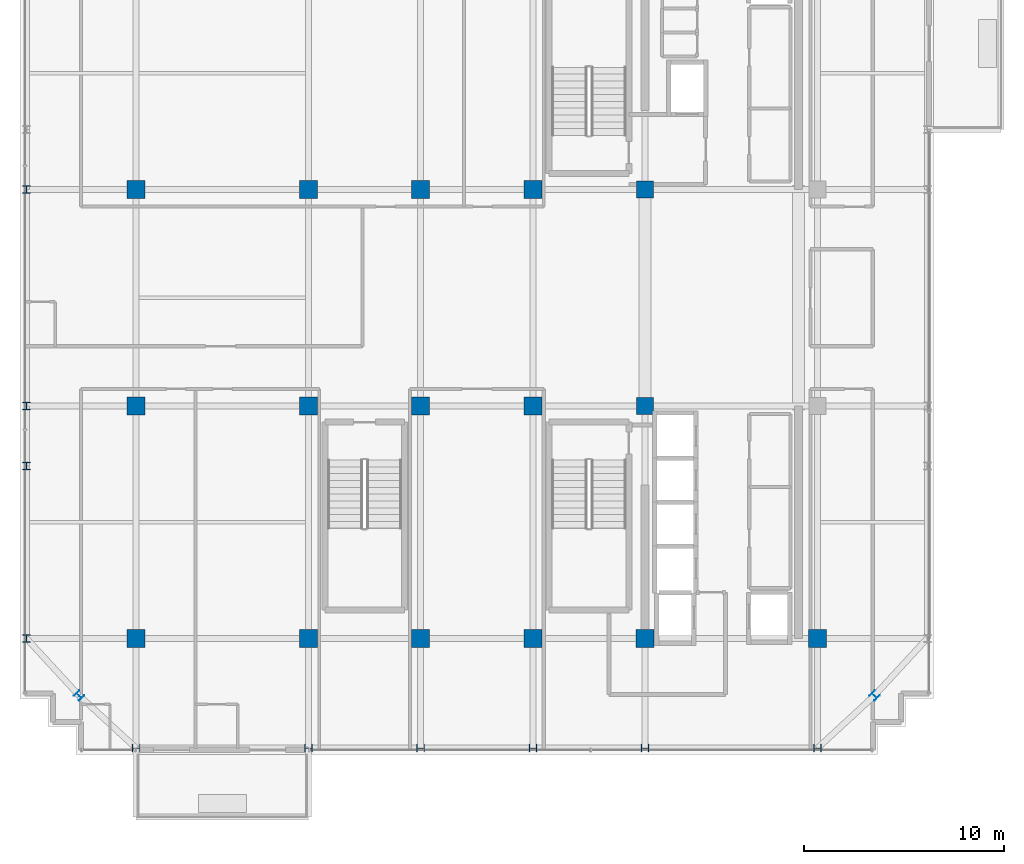
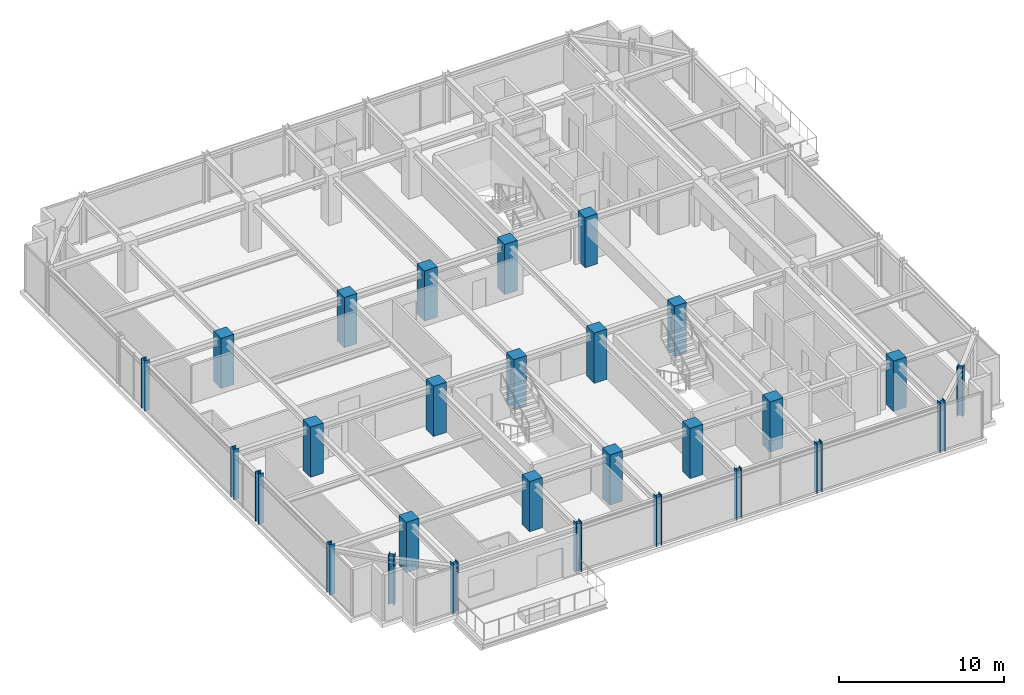
# One storey, part 1 of 33: 28 columns.
"""IFC4 building model written with IfcOpenShell, lengths in metres."""

from ifc_helpers import new_model, si_unit, direction, frame, origin, origin_2d, place, context, subcontext, project, spatial, rectangle, i_section, extrude, source, transform, mapped, material, material_profile, profile_set, type_object, element, save


model = new_model("IFC4")

# Units and contexts
model_context = context("Model", 3, precision=1e-05, world=origin(), true_north=direction((0.0, 1.0)))
body_context = subcontext(model_context, "Body", "Model", "MODEL_VIEW")
ifc_project = project(units=[si_unit("LENGTHUNIT", "METRE"), si_unit("AREAUNIT", "SQUARE_METRE"), si_unit("VOLUMEUNIT", "CUBIC_METRE"), si_unit("PLANEANGLEUNIT", "RADIAN"), si_unit("MASSUNIT", "GRAM", prefix="KILO")], contexts=[model_context])

# Site, building, storey
site_placement = place(None, origin())
site = spatial("IfcSite", under=ifc_project, at=site_placement, CompositionType="ELEMENT")
building_placement = place(site_placement, origin())
building = spatial("IfcBuilding", under=site, at=building_placement, Name="Nahalor Promenade Grand Hotel", CompositionType="ELEMENT")
storey_placement = place(building_placement, frame((0.0, 0.0, 270.050048828125)))
storey = spatial("IfcBuildingStorey", under=building, at=storey_placement, Name="L69", CompositionType="ELEMENT", Elevation=270.050048828125)

# Columns
ifc_material_1 = material(Name="Concrete B-50 (C40/50)", Category="concrete")
ifc_material_profile_1 = material_profile(ifc_material_1, rectangle(XDim=0.9, YDim=0.9, at=origin_2d()), Name="RC 900x900")
ifc_profile_set_1 = profile_set([ifc_material_profile_1], Name="Concrete B-50 (C40/50)")
column_type_1 = type_object("IfcColumnType", Name="Col-RC-900", PredefinedType="COLUMN", material=ifc_profile_set_1)
shared_shape_1 = source(origin(), body_context, "Body", "SweptSolid", [
    extrude(rectangle(XDim=0.9, YDim=0.9, at=origin_2d()), origin(), (0.0, 0.0, 1.0), 3.704833984375),
])
for number, where, z_axis, x_axis, name in (
    (1, (-17.0, -17.0, 0.0), (0.0, 0.0, 1.0), (1.0, 0.0, 0.0), "COL-L69-I00"),
    (2, (-17.0, -5.39990234375, 0.0), (0.0, 0.0, 1.0), (1.0, 0.0, 0.0), "COL-L69-I01"),
    (3, (-17.0, 5.39990234375, 0.0), (0.0, 0.0, 1.0), (1.0, 0.0, 0.0), "COL-L69-I02"),
    (4, (-8.39990234375, -17.0, 0.0), (0.0, 0.0, 1.0), (1.0, 0.0, 0.0), "COL-L69-I10"),
    (5, (-8.39990234375, -5.39990234375, 0.0), (0.0, 0.0, 1.0), (1.0, 0.0, 0.0), "COL-L69-I11"),
    (6, (-8.39990234375, 5.39990234375, 0.0), (0.0, 0.0, 1.0), (1.0, 0.0, 0.0), "COL-L69-I12"),
    (7, (-2.800048828125, -17.0, 0.0), (0.0, 0.0, 1.0), (1.0, 0.0, 0.0), "COL-L69-I20"),
    (8, (-2.800048828125, -5.39990234375, 0.0), (0.0, 0.0, 1.0), (1.0, 0.0, 0.0), "COL-L69-I21"),
    (9, (-2.800048828125, 5.39990234375, 0.0), (0.0, 0.0, 1.0), (1.0, 0.0, 0.0), "COL-L69-I22"),
    (10, (2.800048828125, -17.0, 0.0), (0.0, 0.0, 1.0), (1.0, 0.0, 0.0), "COL-L69-I30"),
    (11, (2.800048828125, -5.39990234375, 0.0), (0.0, 0.0, 1.0), (1.0, 0.0, 0.0), "COL-L69-I31"),
    (12, (2.800048828125, 5.39990234375, 0.0), (0.0, 0.0, 1.0), (1.0, 0.0, 0.0), "COL-L69-I32"),
    (13, (8.39990234375, -17.0, 0.0), (0.0, 0.0, 1.0), (1.0, 0.0, 0.0), "COL-L69-I40"),
    (14, (17.0, -17.0, 0.0), (0.0, 0.0, 1.0), (1.0, 0.0, 0.0), "COL-L69-I50"),
):
    element("IfcColumn", number, at=place(storey_placement, frame(where, z_axis=z_axis, x_axis=x_axis)), inside=storey, type_object=column_type_1, Name=name, PredefinedType="COLUMN", context=body_context, shape_type="MappedRepresentation", body=[
        mapped(shared_shape_1, transform((0.0, 0.0, 0.0), scale=1.0)),
    ])
ifc_material_2 = material(Name="Concrete B-70 (C60/75)", Category="concrete")
ifc_material_profile_2 = material_profile(ifc_material_2, rectangle(XDim=0.85, YDim=0.85, at=origin_2d()), Name="RC 850x850")
ifc_profile_set_2 = profile_set([ifc_material_profile_2], Name="Concrete B-70 (C60/75)")
column_type_2 = type_object("IfcColumnType", Name="Col-Pilaster-850", PredefinedType="PILASTER", material=ifc_profile_set_2)
shared_shape_2 = source(origin(), body_context, "Body", "SweptSolid", [
    extrude(rectangle(XDim=0.85, YDim=0.85, at=origin_2d()), origin(), (0.0, 0.0, 1.0), 3.704833984375),
])
for number, where, z_axis, x_axis, name in (
    (15, (8.39990234375, -5.39990234375, 0.0), (0.0, 0.0, 1.0), (1.0, 0.0, 0.0), "COL-L69-I41"),
    (16, (8.39990234375, 5.39990234375, 0.0), (0.0, 0.0, 1.0), (1.0, 0.0, 0.0), "COL-L69-I42"),
):
    element("IfcColumn", number, at=place(storey_placement, frame(where, z_axis=z_axis, x_axis=x_axis)), inside=storey, type_object=column_type_2, Name=name, PredefinedType="PILASTER", context=body_context, shape_type="MappedRepresentation", body=[
        mapped(shared_shape_2, transform((0.0, 0.0, 0.0), scale=1.0)),
    ])
ifc_material_3 = material(Name="Steel S355JR", Category="steel")
ifc_material_profile_3 = material_profile(ifc_material_3, i_section(OverallWidth=0.374, OverallDepth=0.374, WebThickness=0.0144, FlangeThickness=0.0229, at=origin_2d()), Name="HD 360x262")
ifc_profile_set_3 = profile_set([ifc_material_profile_3], Name="Steel S355JR")
column_type_3 = type_object("IfcColumnType", Name="Col-Steel-HD262", PredefinedType="COLUMN", material=ifc_profile_set_3)
shared_shape_3 = source(origin(), body_context, "Body", "SweptSolid", [
    extrude(i_section(OverallWidth=0.374, OverallDepth=0.374, WebThickness=0.0144, FlangeThickness=0.0229, at=origin_2d()), origin(), (0.0, 0.0, 1.0), 3.704833984375),
])
for number, where, z_axis, x_axis, name in (
    (17, (-22.47998046875, -17.0, 0.0), (0.0, 0.0, 1.0), (1.0, 0.0, 0.0), "COL-L69-PW-W0"),
    (18, (-22.47998046875, -8.39990234375, 0.0), (0.0, 0.0, 1.0), (1.0, 0.0, 0.0), "COL-L69-PW-W1"),
    (19, (-22.47998046875, -5.39990234375, 0.0), (0.0, 0.0, 1.0), (1.0, 0.0, 0.0), "COL-L69-PW-W2"),
    (20, (-22.47998046875, 5.39990234375, 0.0), (0.0, 0.0, 1.0), (1.0, 0.0, 0.0), "COL-L69-PW-W3"),
    (21, (-17.0, -22.47998046875, 0.0), (0.0, 0.0, 1.0), (0.0, 1.0, 0.0), "COL-L69-PN-S0"),
    (22, (-8.39990234375, -22.47998046875, 0.0), (0.0, 0.0, 1.0), (0.0, 1.0, 0.0), "COL-L69-PN-S1"),
    (23, (-2.800048828125, -22.47998046875, 0.0), (0.0, 0.0, 1.0), (0.0, 1.0, 0.0), "COL-L69-PN-S2"),
    (24, (2.800048828125, -22.47998046875, 0.0), (0.0, 0.0, 1.0), (0.0, 1.0, 0.0), "COL-L69-PN-S3"),
    (25, (8.39990234375, -22.47998046875, 0.0), (0.0, 0.0, 1.0), (0.0, 1.0, 0.0), "COL-L69-PN-S4"),
    (26, (17.0, -22.47998046875, 0.0), (0.0, 0.0, 1.0), (0.0, 1.0, 0.0), "COL-L69-PN-S5"),
    (27, (-19.85009765625, -19.85009765625, 0.0), (0.0, 0.0, 1.0), (0.707106781187, 0.707106781187, 0.0), "COL-L69-CRN-SW"),
    (28, (19.85009765625, -19.85009765625, 0.0), (0.0, 0.0, 1.0), (0.707106781187, 0.707106781187, 0.0), "COL-L69-CRN-SE"),
):
    element("IfcColumn", number, at=place(storey_placement, frame(where, z_axis=z_axis, x_axis=x_axis)), inside=storey, type_object=column_type_3, Name=name, PredefinedType="COLUMN", context=body_context, shape_type="MappedRepresentation", body=[
        mapped(shared_shape_3, transform((0.0, 0.0, 0.0), scale=1.0)),
    ])

save(model, "model.ifc")
